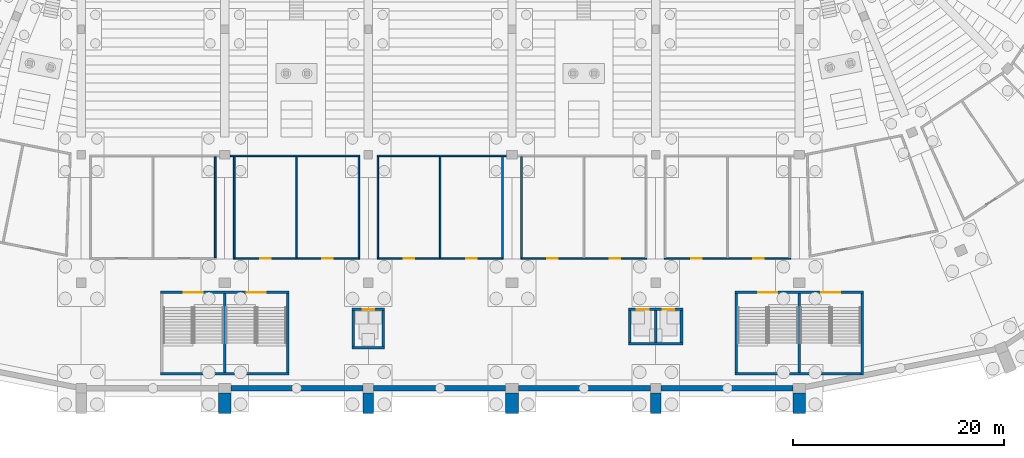
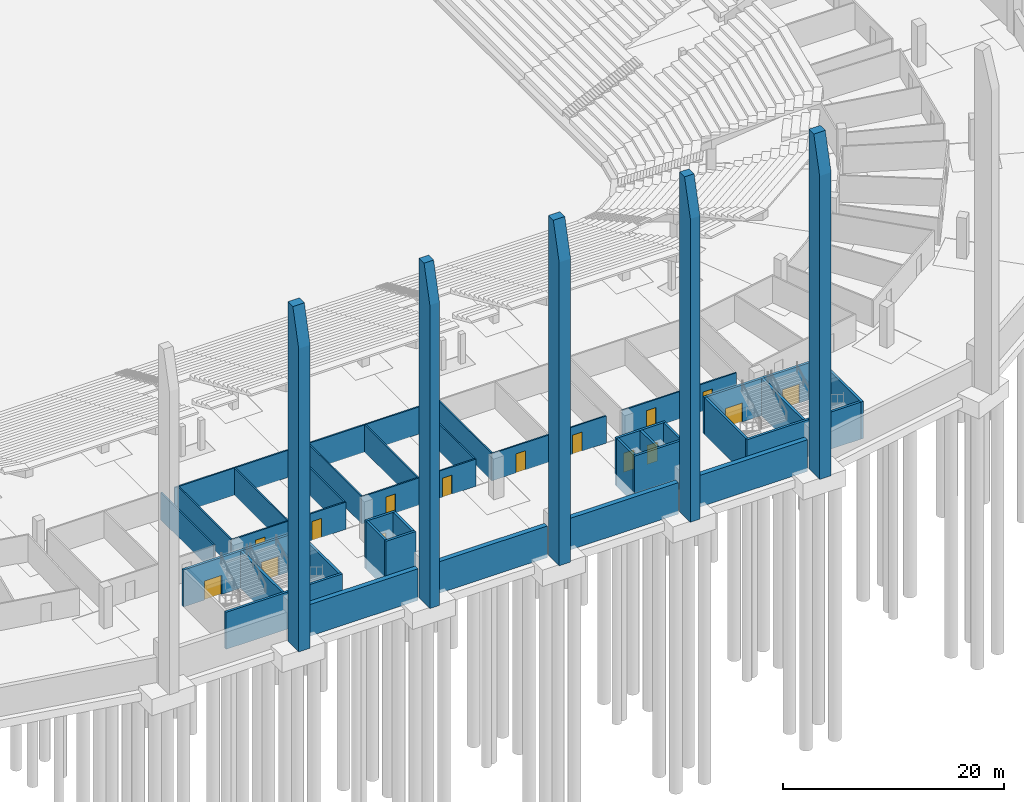
# One storey, part 23 of 115: 41 walls, 15 doors, 15 openings.
"""IFC4 building model written with IfcOpenShell, lengths in metres."""

from ifc_helpers import new_model, si_unit, direction, frame, frame_2d, origin, place, context, subcontext, project, spatial, polyline, rectangle, outline, extrude, material, layer, layer_set, type_object, element, fill, save


model = new_model("IFC4")

# Units and contexts
model_context = context("Model", 3, precision=1e-05, world=origin(), true_north=direction((0.0, 1.0)))
body_context = subcontext(model_context, "Body", "Model", "MODEL_VIEW")
ifc_project = project(units=[si_unit("LENGTHUNIT", "METRE"), si_unit("AREAUNIT", "SQUARE_METRE"), si_unit("VOLUMEUNIT", "CUBIC_METRE"), si_unit("PLANEANGLEUNIT", "RADIAN"), si_unit("MASSUNIT", "GRAM", prefix="KILO")], contexts=[model_context])

# Site, building, storey
site_placement = place(None, origin())
site = spatial("IfcSite", under=ifc_project, at=site_placement, CompositionType="ELEMENT")
building_placement = place(site_placement, origin())
building = spatial("IfcBuilding", under=site, at=building_placement, Name="Ogive Plaza Stadium", CompositionType="ELEMENT")
storey_placement = place(building_placement, frame((0.0, 0.0, -4.5)))
storey = spatial("IfcBuildingStorey", under=building, at=storey_placement, Name="B1", CompositionType="ELEMENT", Elevation=-4.5)

# Wall, openings, doors
ifc_material_1 = material(Name="Masonry blockwork", Category="masonry")
ifc_layer_1 = layer(ifc_material_1, 0.14990234375)
ifc_layer_set_1 = layer_set([ifc_layer_1], Name="Blockwork wall 150")
wall_type_1 = type_object("IfcWallType", Name="Blockwork wall 150", PredefinedType="SOLIDWALL", material=ifc_layer_set_1)
wall_1_placement = place(storey_placement, frame((33.175048828125, -90.199951171875, 0.0), z_axis=(0.0, 0.0, 1.0), x_axis=(-1.0, 0.0, 0.0)))
wall_1 = element("IfcWall", 1, at=wall_1_placement, inside=storey, type_object=wall_type_1, Name="Wall B1 B12", PredefinedType="SOLIDWALL", context=body_context, shape_type="SweptSolid", body=[
    extrude(rectangle(XDim=11.949951171875, YDim=0.14990234375, at=frame_2d((5.97509765625, 0.0))), origin(), (0.0, 0.0, 1.0), 3.0),
])
opening_1_placement = place(wall_1_placement, frame((2.52490234375, 0.0, 0.0)))
opening_1 = element("IfcOpeningElement", 2, at=opening_1_placement, cuts=wall_1, Name="Opening D0319", PredefinedType="OPENING", context=body_context, shape_type="SweptSolid", body=[
    extrude(rectangle(XDim=1.0, YDim=2.10009765625, at=frame_2d((0.5, 1.050048828125))), frame((0.0, 0.074951171875, 0.0), z_axis=(0.0, -1.0, 0.0), x_axis=(1.0, 0.0, 0.0)), (0.0, 0.0, 1.0), 0.14990234375),
])
opening_2_placement = place(wall_1_placement, frame((8.425048828125, 0.0, 0.0)))
opening_2 = element("IfcOpeningElement", 3, at=opening_2_placement, cuts=wall_1, Name="Opening D0320", PredefinedType="OPENING", context=body_context, shape_type="SweptSolid", body=[
    extrude(rectangle(XDim=1.0, YDim=2.10009765625, at=frame_2d((0.5, 1.050048828125))), frame((0.0, 0.074951171875, 0.0), z_axis=(0.0, -1.0, 0.0), x_axis=(1.0, 0.0, 0.0)), (0.0, 0.0, 1.0), 0.14990234375),
])
ifc_material_2 = material(Name="Steel ASTM A572 Grade 50", Category="steel")
door_type_1 = type_object("IfcDoorType", Name="Fire door FD90 1000 x 2100", OperationType="SINGLE_SWING_LEFT", PredefinedType="DOOR", material=ifc_material_2)
door_1_placement = place(opening_1_placement, origin())
door_1 = element("IfcDoor", 4, at=door_1_placement, inside=storey, type_object=door_type_1, Name="Chiller Plant B12 door", OperationType="SINGLE_SWING_RIGHT", OverallHeight=2.10009765625, OverallWidth=1.0, PredefinedType="DOOR", context=body_context, shape_type="SweptSolid", body=[
    extrude(rectangle(XDim=1.0, YDim=2.10009765625, at=frame_2d((0.5, 1.050048828125))), frame((0.0, 0.02490234375, 0.0), z_axis=(0.0, -1.0, 0.0), x_axis=(1.0, 0.0, 0.0)), (0.0, 0.0, 1.0), 0.050048828125),
])
fill(opening_1, door_1)
door_2_placement = place(opening_2_placement, origin())
door_2 = element("IfcDoor", 5, at=door_2_placement, inside=storey, type_object=door_type_1, Name="Generator Hall B12 door", OperationType="SINGLE_SWING_LEFT", OverallHeight=2.10009765625, OverallWidth=1.0, PredefinedType="DOOR", context=body_context, shape_type="SweptSolid", body=[
    extrude(rectangle(XDim=1.0, YDim=2.10009765625, at=frame_2d((0.5, 1.050048828125))), frame((0.0, 0.02490234375, 0.0), z_axis=(0.0, -1.0, 0.0), x_axis=(1.0, 0.0, 0.0)), (0.0, 0.0, 1.0), 0.050048828125),
])
fill(opening_2, door_2)

wall_2_placement = place(storey_placement, frame((7.625, -90.199951171875, 0.0), z_axis=(0.0, 0.0, 1.0), x_axis=(1.0, 0.0, 0.0)))
wall_2 = element("IfcWall", 6, at=wall_2_placement, inside=storey, type_object=wall_type_1, Name="Wall B1 B13", PredefinedType="SOLIDWALL", context=body_context, shape_type="SweptSolid", body=[
    extrude(rectangle(XDim=11.949951171875, YDim=0.14990234375, at=frame_2d((5.97509765625, 0.0))), origin(), (0.0, 0.0, 1.0), 3.0),
])
opening_3_placement = place(wall_2_placement, frame((2.52490234375, 0.0, 0.0)))
opening_3 = element("IfcOpeningElement", 7, at=opening_3_placement, cuts=wall_2, Name="Opening D0321", PredefinedType="OPENING", context=body_context, shape_type="SweptSolid", body=[
    extrude(rectangle(XDim=1.0, YDim=2.10009765625, at=frame_2d((0.5, 1.050048828125))), frame((0.0, 0.074951171875, 0.0), z_axis=(0.0, -1.0, 0.0), x_axis=(1.0, 0.0, 0.0)), (0.0, 0.0, 1.0), 0.14990234375),
])
opening_4_placement = place(wall_2_placement, frame((8.425048828125, 0.0, 0.0)))
opening_4 = element("IfcOpeningElement", 8, at=opening_4_placement, cuts=wall_2, Name="Opening D0322", PredefinedType="OPENING", context=body_context, shape_type="SweptSolid", body=[
    extrude(rectangle(XDim=1.0, YDim=2.10009765625, at=frame_2d((0.5, 1.050048828125))), frame((0.0, 0.074951171875, 0.0), z_axis=(0.0, -1.0, 0.0), x_axis=(1.0, 0.0, 0.0)), (0.0, 0.0, 1.0), 0.14990234375),
])
door_3_placement = place(opening_3_placement, origin())
door_3 = element("IfcDoor", 9, at=door_3_placement, inside=storey, type_object=door_type_1, Name="Generator Hall B13 door", OperationType="SINGLE_SWING_LEFT", OverallHeight=2.10009765625, OverallWidth=1.0, PredefinedType="DOOR", context=body_context, shape_type="SweptSolid", body=[
    extrude(rectangle(XDim=1.0, YDim=2.10009765625, at=frame_2d((0.5, 1.050048828125))), frame((0.0, 0.02490234375, 0.0), z_axis=(0.0, -1.0, 0.0), x_axis=(1.0, 0.0, 0.0)), (0.0, 0.0, 1.0), 0.050048828125),
])
fill(opening_3, door_3)
door_4_placement = place(opening_4_placement, origin())
door_4 = element("IfcDoor", 10, at=door_4_placement, inside=storey, type_object=door_type_1, Name="Main Switchgear Room B13 door", OperationType="SINGLE_SWING_RIGHT", OverallHeight=2.10009765625, OverallWidth=1.0, PredefinedType="DOOR", context=body_context, shape_type="SweptSolid", body=[
    extrude(rectangle(XDim=1.0, YDim=2.10009765625, at=frame_2d((0.5, 1.050048828125))), frame((0.0, 0.02490234375, 0.0), z_axis=(0.0, -1.0, 0.0), x_axis=(1.0, 0.0, 0.0)), (0.0, 0.0, 1.0), 0.050048828125),
])
fill(opening_4, door_4)

# Walls
wall_3_placement = place(storey_placement, frame((7.699951171875, -80.574951171875, 0.0), z_axis=(0.0, 0.0, 1.0), x_axis=(0.0, -1.0, 0.0)))
element("IfcWall", 11, at=wall_3_placement, inside=storey, type_object=wall_type_1, Name="Wall B1 B13", PredefinedType="SOLIDWALL", context=body_context, shape_type="SweptSolid", body=[
    extrude(rectangle(XDim=9.550048828125, YDim=0.14990234375, at=frame_2d((4.77490234375, 0.0))), origin(), (0.0, 0.0, 1.0), 3.0),
])
wall_4_placement = place(storey_placement, frame((6.300048828125, -80.5, 0.0), z_axis=(0.0, 0.0, 1.0), x_axis=(-1.0, 0.0, 0.0)))
element("IfcWall", 12, at=wall_4_placement, inside=storey, type_object=wall_type_1, Name="Wall B1 B14", PredefinedType="SOLIDWALL", context=body_context, shape_type="SweptSolid", body=[
    extrude(rectangle(XDim=12.275146484375, YDim=0.14990234375, at=frame_2d((6.1376953125, 0.0))), origin(), (0.0, 0.0, 1.0), 3.0),
])

# Wall, openings, doors
wall_5_placement = place(storey_placement, frame((5.97509765625, -90.199951171875, 0.0), z_axis=(0.0, 0.0, 1.0), x_axis=(-1.0, 0.0, 0.0)))
wall_5 = element("IfcWall", 13, at=wall_5_placement, inside=storey, type_object=wall_type_1, Name="Wall B1 B14", PredefinedType="SOLIDWALL", context=body_context, shape_type="SweptSolid", body=[
    extrude(rectangle(XDim=11.9501953125, YDim=0.14990234375, at=frame_2d((5.97509765625, 0.0))), origin(), (0.0, 0.0, 1.0), 3.0),
])
opening_5_placement = place(wall_5_placement, frame((2.52490234375, 0.0, 0.0)))
opening_5 = element("IfcOpeningElement", 14, at=opening_5_placement, cuts=wall_5, Name="Opening D0323", PredefinedType="OPENING", context=body_context, shape_type="SweptSolid", body=[
    extrude(rectangle(XDim=1.0, YDim=2.10009765625, at=frame_2d((0.5, 1.050048828125))), frame((0.0, 0.074951171875, 0.0), z_axis=(0.0, -1.0, 0.0), x_axis=(1.0, 0.0, 0.0)), (0.0, 0.0, 1.0), 0.14990234375),
])
opening_6_placement = place(wall_5_placement, frame((8.425048828125, 0.0, 0.0)))
opening_6 = element("IfcOpeningElement", 15, at=opening_6_placement, cuts=wall_5, Name="Opening D0324", PredefinedType="OPENING", context=body_context, shape_type="SweptSolid", body=[
    extrude(rectangle(XDim=1.0, YDim=2.10009765625, at=frame_2d((0.5, 1.050048828125))), frame((0.0, 0.074951171875, 0.0), z_axis=(0.0, -1.0, 0.0), x_axis=(1.0, 0.0, 0.0)), (0.0, 0.0, 1.0), 0.14990234375),
])
door_5_placement = place(opening_5_placement, origin())
door_5 = element("IfcDoor", 16, at=door_5_placement, inside=storey, type_object=door_type_1, Name="Main Switchgear Room B14 door", OperationType="SINGLE_SWING_RIGHT", OverallHeight=2.10009765625, OverallWidth=1.0, PredefinedType="DOOR", context=body_context, shape_type="SweptSolid", body=[
    extrude(rectangle(XDim=1.0, YDim=2.10009765625, at=frame_2d((0.5, 1.050048828125))), frame((0.0, 0.02490234375, 0.0), z_axis=(0.0, -1.0, 0.0), x_axis=(1.0, 0.0, 0.0)), (0.0, 0.0, 1.0), 0.050048828125),
])
fill(opening_5, door_5)
door_6_placement = place(opening_6_placement, origin())
door_6 = element("IfcDoor", 17, at=door_6_placement, inside=storey, type_object=door_type_1, Name="Fire Pump and Tank Room B14 door", OperationType="SINGLE_SWING_LEFT", OverallHeight=2.10009765625, OverallWidth=1.0, PredefinedType="DOOR", context=body_context, shape_type="SweptSolid", body=[
    extrude(rectangle(XDim=1.0, YDim=2.10009765625, at=frame_2d((0.5, 1.050048828125))), frame((0.0, 0.02490234375, 0.0), z_axis=(0.0, -1.0, 0.0), x_axis=(1.0, 0.0, 0.0)), (0.0, 0.0, 1.0), 0.050048828125),
])
fill(opening_6, door_6)

# Walls
for number, where, z_axis, x_axis, name in (
    (18, (5.89990234375, -80.574951171875, 0.0), (0.0, 0.0, 1.0), (0.0, -1.0, 0.0), "Wall B1 B14"),
    (19, (0.0, -80.574951171875, 0.0), (0.0, 0.0, 1.0), (0.0, -1.0, 0.0), "Wall B1 B14"),
    (20, (-5.89990234375, -80.574951171875, 0.0), (0.0, 0.0, 1.0), (0.0, -1.0, 0.0), "Wall B1 B14"),
):
    element("IfcWall", number, at=place(storey_placement, frame(where, z_axis=z_axis, x_axis=x_axis)), inside=storey, type_object=wall_type_1, Name=name, PredefinedType="SOLIDWALL", context=body_context, shape_type="SweptSolid", body=[
        extrude(rectangle(XDim=9.550048828125, YDim=0.14990234375, at=frame_2d((4.77490234375, 0.0))), origin(), (0.0, 0.0, 1.0), 3.0),
    ])
wall_6_placement = place(storey_placement, frame((-19.89990234375, -80.5, 0.0), z_axis=(0.0, 0.0, 1.0), x_axis=(1.0, 0.0, 0.0)))
element("IfcWall", 21, at=wall_6_placement, inside=storey, type_object=wall_type_1, Name="Wall B1 B15", PredefinedType="SOLIDWALL", context=body_context, shape_type="SweptSolid", body=[
    extrude(rectangle(XDim=12.27490234375, YDim=0.14990234375, at=frame_2d((6.137451171875, 0.0))), origin(), (0.0, 0.0, 1.0), 3.0),
])

# Wall, openings, doors
wall_7_placement = place(storey_placement, frame((-19.574951171875, -90.199951171875, 0.0), z_axis=(0.0, 0.0, 1.0), x_axis=(1.0, 0.0, 0.0)))
wall_7 = element("IfcWall", 22, at=wall_7_placement, inside=storey, type_object=wall_type_1, Name="Wall B1 B15", PredefinedType="SOLIDWALL", context=body_context, shape_type="SweptSolid", body=[
    extrude(rectangle(XDim=11.949951171875, YDim=0.14990234375, at=frame_2d((5.97509765625, 0.0))), origin(), (0.0, 0.0, 1.0), 3.0),
])
opening_7_placement = place(wall_7_placement, frame((2.52490234375, 0.0, 0.0)))
opening_7 = element("IfcOpeningElement", 23, at=opening_7_placement, cuts=wall_7, Name="Opening D0325", PredefinedType="OPENING", context=body_context, shape_type="SweptSolid", body=[
    extrude(rectangle(XDim=1.0, YDim=2.10009765625, at=frame_2d((0.5, 1.050048828125))), frame((0.0, 0.074951171875, 0.0), z_axis=(0.0, -1.0, 0.0), x_axis=(1.0, 0.0, 0.0)), (0.0, 0.0, 1.0), 0.14990234375),
])
opening_8_placement = place(wall_7_placement, frame((8.425048828125, 0.0, 0.0)))
opening_8 = element("IfcOpeningElement", 24, at=opening_8_placement, cuts=wall_7, Name="Opening D0326", PredefinedType="OPENING", context=body_context, shape_type="SweptSolid", body=[
    extrude(rectangle(XDim=1.0, YDim=2.10009765625, at=frame_2d((0.5, 1.050048828125))), frame((0.0, 0.074951171875, 0.0), z_axis=(0.0, -1.0, 0.0), x_axis=(1.0, 0.0, 0.0)), (0.0, 0.0, 1.0), 0.14990234375),
])
door_7_placement = place(opening_7_placement, origin())
door_7 = element("IfcDoor", 25, at=door_7_placement, inside=storey, type_object=door_type_1, Name="Fire Pump and Tank Room B15 door", OperationType="SINGLE_SWING_LEFT", OverallHeight=2.10009765625, OverallWidth=1.0, PredefinedType="DOOR", context=body_context, shape_type="SweptSolid", body=[
    extrude(rectangle(XDim=1.0, YDim=2.10009765625, at=frame_2d((0.5, 1.050048828125))), frame((0.0, 0.02490234375, 0.0), z_axis=(0.0, -1.0, 0.0), x_axis=(1.0, 0.0, 0.0)), (0.0, 0.0, 1.0), 0.050048828125),
])
fill(opening_7, door_7)
door_8_placement = place(opening_8_placement, origin())
door_8 = element("IfcDoor", 26, at=door_8_placement, inside=storey, type_object=door_type_1, Name="Air Handling Plant Room B15 door", OperationType="SINGLE_SWING_RIGHT", OverallHeight=2.10009765625, OverallWidth=1.0, PredefinedType="DOOR", context=body_context, shape_type="SweptSolid", body=[
    extrude(rectangle(XDim=1.0, YDim=2.10009765625, at=frame_2d((0.5, 1.050048828125))), frame((0.0, 0.02490234375, 0.0), z_axis=(0.0, -1.0, 0.0), x_axis=(1.0, 0.0, 0.0)), (0.0, 0.0, 1.0), 0.050048828125),
])
fill(opening_8, door_8)

# Walls
for number, where, z_axis, x_axis, name in (
    (27, (-19.5, -80.574951171875, 0.0), (0.0, 0.0, 1.0), (0.0, -1.0, 0.0), "Wall B1 B15"),
    (28, (-13.60009765625, -80.574951171875, 0.0), (0.0, 0.0, 1.0), (0.0, -1.0, 0.0), "Wall B1 B15"),
    (29, (-7.699951171875, -80.574951171875, 0.0), (0.0, 0.0, 1.0), (0.0, -1.0, 0.0), "Wall B1 B15"),
    (30, (-21.300048828125, -80.574951171875, 0.0), (0.0, 0.0, 1.0), (0.0, -1.0, 0.0), "Wall B1 B16"),
):
    element("IfcWall", number, at=place(storey_placement, frame(where, z_axis=z_axis, x_axis=x_axis)), inside=storey, type_object=wall_type_1, Name=name, PredefinedType="SOLIDWALL", context=body_context, shape_type="SweptSolid", body=[
        extrude(rectangle(XDim=9.550048828125, YDim=0.14990234375, at=frame_2d((4.77490234375, 0.0))), origin(), (0.0, 0.0, 1.0), 3.0),
    ])
ifc_material_3 = material(Name="Concrete C45/55 precast", Category="concrete")
ifc_layer_2 = layer(ifc_material_3, 0.949951171875)
ifc_material_4 = material(Name="Cast stone (reconstituted limestone)", Category="masonry")
ifc_layer_3 = layer(ifc_material_4, 0.050048828125)
ifc_layer_set_2 = layer_set([ifc_layer_2, ifc_layer_3], Name="Concrete C45/55 precast, cast stone facing")
wall_type_2 = type_object("IfcWallType", Name="Buttress pier 1000", PredefinedType="SOLIDWALL", material=ifc_layer_set_2)
for number, where, z_axis, x_axis, name in (
    (31, (20.39990234375, -102.949951171875, 0.0), (0.0, 0.0, 1.0), (0.0, -1.0, 0.0), "BUTTRESS PIER R13"),
    (32, (-6.800048828125, -102.949951171875, 0.0), (0.0, 0.0, 1.0), (0.0, -1.0, 0.0), "BUTTRESS PIER R15"),
):
    element("IfcWall", number, at=place(storey_placement, frame(where, z_axis=z_axis, x_axis=x_axis)), inside=storey, type_object=wall_type_2, Name=name, PredefinedType="SOLIDWALL", context=body_context, shape_type="SweptSolid", body=[
        extrude(outline(polyline([(0.0, 0.0), (1.949951171875, 0.0), (1.949951171875, 33.5), (0.89990234375, 37.5), (0.0, 37.5), (0.0, 0.0)])), frame((0.0, 0.5, 0.0), z_axis=(0.0, -1.0, 0.0), x_axis=(1.0, 0.0, 0.0)), (0.0, 0.0, 1.0), 1.0),
    ])
ifc_material_5 = material(Name="Concrete C45/55 precast", Category="concrete")
ifc_layer_4 = layer(ifc_material_5, 1.14990234375)
ifc_material_6 = material(Name="Cast stone (reconstituted limestone)", Category="masonry")
ifc_layer_5 = layer(ifc_material_6, 0.050048828125)
ifc_layer_set_3 = layer_set([ifc_layer_4, ifc_layer_5], Name="Concrete C45/55 precast, cast stone facing")
wall_type_3 = type_object("IfcWallType", Name="Buttress pier 1200", PredefinedType="SOLIDWALL", material=ifc_layer_set_3)
for number, where, z_axis, x_axis, name in (
    (33, (34.0, -102.949951171875, 0.0), (0.0, 0.0, 1.0), (0.0, -1.0, 0.0), "BUTTRESS PIER R12"),
    (34, (6.800048828125, -102.949951171875, 0.0), (0.0, 0.0, 1.0), (0.0, -1.0, 0.0), "BUTTRESS PIER R14"),
    (35, (-20.39990234375, -102.949951171875, 0.0), (0.0, 0.0, 1.0), (0.0, -1.0, 0.0), "BUTTRESS PIER R16"),
):
    element("IfcWall", number, at=place(storey_placement, frame(where, z_axis=z_axis, x_axis=x_axis)), inside=storey, type_object=wall_type_3, Name=name, PredefinedType="SOLIDWALL", context=body_context, shape_type="SweptSolid", body=[
        extrude(outline(polyline([(0.0, 0.0), (1.949951171875, 0.0), (1.949951171875, 33.5), (0.89990234375, 37.5), (0.0, 37.5), (0.0, 0.0)])), frame((0.0, 0.60009765625, 0.0), z_axis=(0.0, -1.0, 0.0), x_axis=(1.0, 0.0, 0.0)), (0.0, 0.0, 1.0), 1.199951171875),
    ])

# Wall, openings, doors
ifc_material_7 = material(Name="Concrete C40/50", Category="concrete")
ifc_layer_6 = layer(ifc_material_7, 0.25)
ifc_layer_set_4 = layer_set([ifc_layer_6], Name="Concrete C40/50")
wall_type_4 = type_object("IfcWallType", Name="Core wall 250", PredefinedType="SHEAR", material=ifc_layer_set_4)
wall_8_placement = place(storey_placement, frame((27.925048828125, -93.425048828125, 0.0), z_axis=(0.0, 0.0, 1.0), x_axis=(1.0, 0.0, 0.0)))
wall_8 = element("IfcWall", 36, at=wall_8_placement, inside=storey, type_object=wall_type_4, Name="Stair core R12 inner wall", PredefinedType="SHEAR", context=body_context, shape_type="SweptSolid", body=[
    extrude(rectangle(XDim=12.14990234375, YDim=0.25, at=frame_2d((6.074951171875, 0.0))), origin(), (0.0, 0.0, 1.0), 4.090087890625),
])
opening_9_placement = place(wall_8_placement, frame((2.199951171875, 0.0, 0.0)))
opening_9 = element("IfcOpeningElement", 37, at=opening_9_placement, cuts=wall_8, Name="Opening D0105", PredefinedType="OPENING", context=body_context, shape_type="SweptSolid", body=[
    extrude(rectangle(XDim=1.800048828125, YDim=2.10009765625, at=frame_2d((0.89990234375, 1.050048828125))), frame((0.0, 0.125, 0.0), z_axis=(0.0, -1.0, 0.0), x_axis=(1.0, 0.0, 0.0)), (0.0, 0.0, 1.0), 0.25),
])
opening_10_placement = place(wall_8_placement, frame((8.14990234375, 0.0, 0.0)))
opening_10 = element("IfcOpeningElement", 38, at=opening_10_placement, cuts=wall_8, Name="Opening D0106", PredefinedType="OPENING", context=body_context, shape_type="SweptSolid", body=[
    extrude(rectangle(XDim=1.800048828125, YDim=2.10009765625, at=frame_2d((0.89990234375, 1.050048828125))), frame((0.0, 0.125, 0.0), z_axis=(0.0, -1.0, 0.0), x_axis=(1.0, 0.0, 0.0)), (0.0, 0.0, 1.0), 0.25),
])
ifc_material_8 = material(Name="Steel ASTM A572 Grade 50", Category="steel")
door_type_2 = type_object("IfcDoorType", Name="Fire door FD90 pair 1800 x 2100", OperationType="DOUBLE_DOOR_SINGLE_SWING", PredefinedType="DOOR", material=ifc_material_8)
door_9_placement = place(opening_9_placement, origin())
door_9 = element("IfcDoor", 39, at=door_9_placement, inside=storey, type_object=door_type_2, Name="Exit stair R12A door B1", OperationType="DOUBLE_DOOR_SINGLE_SWING", OverallHeight=2.10009765625, OverallWidth=1.800048828125, PredefinedType="DOOR", context=body_context, shape_type="SweptSolid", body=[
    extrude(rectangle(XDim=1.800048828125, YDim=2.10009765625, at=frame_2d((0.89990234375, 1.050048828125))), frame((0.0, 0.02490234375, 0.0), z_axis=(0.0, -1.0, 0.0), x_axis=(1.0, 0.0, 0.0)), (0.0, 0.0, 1.0), 0.050048828125),
])
fill(opening_9, door_9)
door_10_placement = place(opening_10_placement, origin())
door_10 = element("IfcDoor", 40, at=door_10_placement, inside=storey, type_object=door_type_2, Name="Exit stair R12B door B1", OperationType="DOUBLE_DOOR_SINGLE_SWING", OverallHeight=2.10009765625, OverallWidth=1.800048828125, PredefinedType="DOOR", context=body_context, shape_type="SweptSolid", body=[
    extrude(rectangle(XDim=1.800048828125, YDim=2.10009765625, at=frame_2d((0.89990234375, 1.050048828125))), frame((0.0, 0.02490234375, 0.0), z_axis=(0.0, -1.0, 0.0), x_axis=(1.0, 0.0, 0.0)), (0.0, 0.0, 1.0), 0.050048828125),
])
fill(opening_10, door_10)

# Walls
wall_9_placement = place(storey_placement, frame((27.925048828125, -101.135009765625, 0.0), z_axis=(0.0, 0.0, 1.0), x_axis=(1.0, 0.0, 0.0)))
element("IfcWall", 41, at=wall_9_placement, inside=storey, type_object=wall_type_4, Name="Stair core R12 outer wall", PredefinedType="SHEAR", context=body_context, shape_type="SweptSolid", body=[
    extrude(rectangle(XDim=12.14990234375, YDim=0.25, at=frame_2d((6.074951171875, 0.0))), origin(), (0.0, 0.0, 1.0), 4.090087890625),
])
wall_10_placement = place(storey_placement, frame((28.050048828125, -93.550048828125, 0.0), z_axis=(0.0, 0.0, 1.0), x_axis=(0.0, -1.0, 0.0)))
element("IfcWall", 42, at=wall_10_placement, inside=storey, type_object=wall_type_4, Name="Stair core R12 side wall", PredefinedType="SHEAR", context=body_context, shape_type="SweptSolid", body=[
    extrude(rectangle(XDim=7.4599609375, YDim=0.25, at=frame_2d((3.72998046875, 0.0))), origin(), (0.0, 0.0, 1.0), 4.090087890625),
])
wall_11_placement = place(storey_placement, frame((39.949951171875, -93.550048828125, 0.0), z_axis=(0.0, 0.0, 1.0), x_axis=(0.0, -1.0, 0.0)))
element("IfcWall", 43, at=wall_11_placement, inside=storey, type_object=wall_type_4, Name="Stair core R12 side wall", PredefinedType="SHEAR", context=body_context, shape_type="SweptSolid", body=[
    extrude(rectangle(XDim=7.7099609375, YDim=0.25, at=frame_2d((3.85498046875, 0.0))), origin(), (0.0, 0.0, 1.0), 4.090087890625),
])
wall_12_placement = place(storey_placement, frame((34.0, -93.550048828125, 0.0), z_axis=(0.0, 0.0, 1.0), x_axis=(0.0, -1.0, 0.0)))
element("IfcWall", 44, at=wall_12_placement, inside=storey, type_object=wall_type_4, Name="Stair core R12 centre wall", PredefinedType="SHEAR", context=body_context, shape_type="SweptSolid", body=[
    extrude(rectangle(XDim=7.4599609375, YDim=0.25, at=frame_2d((3.72998046875, 0.0))), origin(), (0.0, 0.0, 1.0), 4.090087890625),
])

# Wall, openings, doors
wall_13_placement = place(storey_placement, frame((-26.47509765625, -93.425048828125, 0.0), z_axis=(0.0, 0.0, 1.0), x_axis=(1.0, 0.0, 0.0)))
wall_13 = element("IfcWall", 45, at=wall_13_placement, inside=storey, type_object=wall_type_4, Name="Stair core R16 inner wall", PredefinedType="SHEAR", context=body_context, shape_type="SweptSolid", body=[
    extrude(rectangle(XDim=12.150146484375, YDim=0.25, at=frame_2d((6.0751953125, 0.0))), origin(), (0.0, 0.0, 1.0), 4.090087890625),
])
opening_11_placement = place(wall_13_placement, frame((2.199951171875, 0.0, 0.0)))
opening_11 = element("IfcOpeningElement", 46, at=opening_11_placement, cuts=wall_13, Name="Opening D0131", PredefinedType="OPENING", context=body_context, shape_type="SweptSolid", body=[
    extrude(rectangle(XDim=1.800048828125, YDim=2.10009765625, at=frame_2d((0.89990234375, 1.050048828125))), frame((0.0, 0.125, 0.0), z_axis=(0.0, -1.0, 0.0), x_axis=(1.0, 0.0, 0.0)), (0.0, 0.0, 1.0), 0.25),
])
opening_12_placement = place(wall_13_placement, frame((8.14990234375, 0.0, 0.0)))
opening_12 = element("IfcOpeningElement", 47, at=opening_12_placement, cuts=wall_13, Name="Opening D0132", PredefinedType="OPENING", context=body_context, shape_type="SweptSolid", body=[
    extrude(rectangle(XDim=1.800048828125, YDim=2.10009765625, at=frame_2d((0.89990234375, 1.050048828125))), frame((0.0, 0.125, 0.0), z_axis=(0.0, -1.0, 0.0), x_axis=(1.0, 0.0, 0.0)), (0.0, 0.0, 1.0), 0.25),
])
door_11_placement = place(opening_11_placement, origin())
door_11 = element("IfcDoor", 48, at=door_11_placement, inside=storey, type_object=door_type_2, Name="Exit stair R16A door B1", OperationType="DOUBLE_DOOR_SINGLE_SWING", OverallHeight=2.10009765625, OverallWidth=1.800048828125, PredefinedType="DOOR", context=body_context, shape_type="SweptSolid", body=[
    extrude(rectangle(XDim=1.800048828125, YDim=2.10009765625, at=frame_2d((0.89990234375, 1.050048828125))), frame((0.0, 0.02490234375, 0.0), z_axis=(0.0, -1.0, 0.0), x_axis=(1.0, 0.0, 0.0)), (0.0, 0.0, 1.0), 0.050048828125),
])
fill(opening_11, door_11)
door_12_placement = place(opening_12_placement, origin())
door_12 = element("IfcDoor", 49, at=door_12_placement, inside=storey, type_object=door_type_2, Name="Exit stair R16B door B1", OperationType="DOUBLE_DOOR_SINGLE_SWING", OverallHeight=2.10009765625, OverallWidth=1.800048828125, PredefinedType="DOOR", context=body_context, shape_type="SweptSolid", body=[
    extrude(rectangle(XDim=1.800048828125, YDim=2.10009765625, at=frame_2d((0.89990234375, 1.050048828125))), frame((0.0, 0.02490234375, 0.0), z_axis=(0.0, -1.0, 0.0), x_axis=(1.0, 0.0, 0.0)), (0.0, 0.0, 1.0), 0.050048828125),
])
fill(opening_12, door_12)

# Walls
wall_14_placement = place(storey_placement, frame((-26.47509765625, -101.135009765625, 0.0), z_axis=(0.0, 0.0, 1.0), x_axis=(1.0, 0.0, 0.0)))
element("IfcWall", 50, at=wall_14_placement, inside=storey, type_object=wall_type_4, Name="Stair core R16 outer wall", PredefinedType="SHEAR", context=body_context, shape_type="SweptSolid", body=[
    extrude(rectangle(XDim=12.150146484375, YDim=0.25, at=frame_2d((6.0751953125, 0.0))), origin(), (0.0, 0.0, 1.0), 4.090087890625),
])
for number, where, z_axis, x_axis, name in (
    (51, (-14.449951171875, -93.550048828125, 0.0), (0.0, 0.0, 1.0), (0.0, -1.0, 0.0), "Stair core R16 side wall"),
    (52, (-20.39990234375, -93.550048828125, 0.0), (0.0, 0.0, 1.0), (0.0, -1.0, 0.0), "Stair core R16 centre wall"),
):
    element("IfcWall", number, at=place(storey_placement, frame(where, z_axis=z_axis, x_axis=x_axis)), inside=storey, type_object=wall_type_4, Name=name, PredefinedType="SHEAR", context=body_context, shape_type="SweptSolid", body=[
        extrude(rectangle(XDim=7.4599609375, YDim=0.25, at=frame_2d((3.72998046875, 0.0))), origin(), (0.0, 0.0, 1.0), 4.090087890625),
    ])

# Wall, openings, doors
ifc_material_9 = material(Name="Concrete C40/50", Category="concrete")
ifc_layer_7 = layer(ifc_material_9, 0.25)
ifc_layer_set_5 = layer_set([ifc_layer_7], Name="Concrete C40/50")
wall_type_5 = type_object("IfcWallType", Name="Core wall 250 A", PredefinedType="SHEAR", material=ifc_layer_set_5)
wall_15_placement = place(storey_placement, frame((17.824951171875, -95.02490234375, -1.199951171875), z_axis=(0.0, 0.0, 1.0), x_axis=(1.0, 0.0, 0.0)))
wall_15 = element("IfcWall", 53, at=wall_15_placement, inside=storey, type_object=wall_type_5, Name="Lift core LP13 landing wall", PredefinedType="SHEAR", context=body_context, shape_type="SweptSolid", body=[
    extrude(rectangle(XDim=5.150146484375, YDim=0.25, at=frame_2d((2.5751953125, 0.0))), origin(), (0.0, 0.0, 1.0), 5.2900390625),
])
opening_13_placement = place(wall_15_placement, frame((0.800048828125, 0.0, 1.199951171875)))
opening_13 = element("IfcOpeningElement", 54, at=opening_13_placement, cuts=wall_15, Name="Opening LD021", PredefinedType="OPENING", context=body_context, shape_type="SweptSolid", body=[
    extrude(rectangle(XDim=1.10009765625, YDim=2.10009765625, at=frame_2d((0.550048828125, 1.050048828125))), frame((0.0, 0.125, 0.0), z_axis=(0.0, -1.0, 0.0), x_axis=(1.0, 0.0, 0.0)), (0.0, 0.0, 1.0), 0.25),
])
opening_14_placement = place(wall_15_placement, frame((3.25, 0.0, 1.199951171875)))
opening_14 = element("IfcOpeningElement", 55, at=opening_14_placement, cuts=wall_15, Name="Opening LD022", PredefinedType="OPENING", context=body_context, shape_type="SweptSolid", body=[
    extrude(rectangle(XDim=1.10009765625, YDim=2.10009765625, at=frame_2d((0.550048828125, 1.050048828125))), frame((0.0, 0.125, 0.0), z_axis=(0.0, -1.0, 0.0), x_axis=(1.0, 0.0, 0.0)), (0.0, 0.0, 1.0), 0.25),
])
ifc_material_10 = material(Name="Steel ASTM A572 Grade 50", Category="steel")
door_type_3 = type_object("IfcDoorType", Name="Landing door 1100 x 2100", OperationType="SLIDING_TO_LEFT", PredefinedType="DOOR", material=ifc_material_10)
door_13_placement = place(opening_13_placement, origin())
door_13 = element("IfcDoor", 56, at=door_13_placement, inside=storey, type_object=door_type_3, Name="Lift landing door LP13 B1", OperationType="SLIDING_TO_LEFT", OverallHeight=2.10009765625, OverallWidth=1.10009765625, PredefinedType="DOOR", context=body_context, shape_type="SweptSolid", body=[
    extrude(rectangle(XDim=1.10009765625, YDim=2.10009765625, at=frame_2d((0.550048828125, 1.050048828125))), frame((0.0, 0.02490234375, 0.0), z_axis=(0.0, -1.0, 0.0), x_axis=(1.0, 0.0, 0.0)), (0.0, 0.0, 1.0), 0.050048828125),
])
fill(opening_13, door_13)
door_14_placement = place(opening_14_placement, origin())
door_14 = element("IfcDoor", 57, at=door_14_placement, inside=storey, type_object=door_type_3, Name="Lift landing door LP13 B1", OperationType="SLIDING_TO_LEFT", OverallHeight=2.10009765625, OverallWidth=1.10009765625, PredefinedType="DOOR", context=body_context, shape_type="SweptSolid", body=[
    extrude(rectangle(XDim=1.10009765625, YDim=2.10009765625, at=frame_2d((0.550048828125, 1.050048828125))), frame((0.0, 0.02490234375, 0.0), z_axis=(0.0, -1.0, 0.0), x_axis=(1.0, 0.0, 0.0)), (0.0, 0.0, 1.0), 0.050048828125),
])
fill(opening_14, door_14)

# Walls
wall_16_placement = place(storey_placement, frame((17.824951171875, -98.27490234375, -1.199951171875), z_axis=(0.0, 0.0, 1.0), x_axis=(1.0, 0.0, 0.0)))
element("IfcWall", 58, at=wall_16_placement, inside=storey, type_object=wall_type_5, Name="Lift core LP13 rear wall", PredefinedType="SHEAR", context=body_context, shape_type="SweptSolid", body=[
    extrude(rectangle(XDim=5.150146484375, YDim=0.25, at=frame_2d((2.5751953125, 0.0))), origin(), (0.0, 0.0, 1.0), 5.2900390625),
])
for number, where, z_axis, x_axis, name in (
    (59, (17.949951171875, -95.14990234375, -1.199951171875), (0.0, 0.0, 1.0), (0.0, -1.0, 0.0), "Lift core LP13 side wall"),
    (60, (22.85009765625, -95.14990234375, -1.199951171875), (0.0, 0.0, 1.0), (0.0, -1.0, 0.0), "Lift core LP13 side wall"),
    (61, (20.39990234375, -95.14990234375, -1.199951171875), (0.0, 0.0, 1.0), (0.0, -1.0, 0.0), "Lift core LP13 centre wall"),
):
    element("IfcWall", number, at=place(storey_placement, frame(where, z_axis=z_axis, x_axis=x_axis)), inside=storey, type_object=wall_type_5, Name=name, PredefinedType="SHEAR", context=body_context, shape_type="SweptSolid", body=[
        extrude(rectangle(XDim=3.0, YDim=0.25, at=frame_2d((1.5, 0.0))), origin(), (0.0, 0.0, 1.0), 5.2900390625),
    ])

# Wall, opening, door
wall_17_placement = place(storey_placement, frame((-8.35009765625, -95.02490234375, -1.199951171875), z_axis=(0.0, 0.0, 1.0), x_axis=(1.0, 0.0, 0.0)))
wall_17 = element("IfcWall", 62, at=wall_17_placement, inside=storey, type_object=wall_type_5, Name="Lift core LS15 landing wall", PredefinedType="SHEAR", context=body_context, shape_type="SweptSolid", body=[
    extrude(rectangle(XDim=3.10009765625, YDim=0.25, at=frame_2d((1.550048828125, 0.0))), origin(), (0.0, 0.0, 1.0), 5.2900390625),
])
opening_15_placement = place(wall_17_placement, frame((1.0, 0.0, 1.199951171875)))
opening_15 = element("IfcOpeningElement", 63, at=opening_15_placement, cuts=wall_17, Name="Opening LD035", PredefinedType="OPENING", context=body_context, shape_type="SweptSolid", body=[
    extrude(rectangle(XDim=1.10009765625, YDim=2.10009765625, at=frame_2d((0.550048828125, 1.050048828125))), frame((0.0, 0.125, 0.0), z_axis=(0.0, -1.0, 0.0), x_axis=(1.0, 0.0, 0.0)), (0.0, 0.0, 1.0), 0.25),
])
door_15_placement = place(opening_15_placement, origin())
door_15 = element("IfcDoor", 64, at=door_15_placement, inside=storey, type_object=door_type_3, Name="Lift landing door LS15 B1", OperationType="SLIDING_TO_LEFT", OverallHeight=2.10009765625, OverallWidth=1.10009765625, PredefinedType="DOOR", context=body_context, shape_type="SweptSolid", body=[
    extrude(rectangle(XDim=1.10009765625, YDim=2.10009765625, at=frame_2d((0.550048828125, 1.050048828125))), frame((0.0, 0.02490234375, 0.0), z_axis=(0.0, -1.0, 0.0), x_axis=(1.0, 0.0, 0.0)), (0.0, 0.0, 1.0), 0.050048828125),
])
fill(opening_15, door_15)

# Walls
wall_18_placement = place(storey_placement, frame((-8.35009765625, -98.675048828125, -1.199951171875), z_axis=(0.0, 0.0, 1.0), x_axis=(1.0, 0.0, 0.0)))
element("IfcWall", 65, at=wall_18_placement, inside=storey, type_object=wall_type_5, Name="Lift core LS15 rear wall", PredefinedType="SHEAR", context=body_context, shape_type="SweptSolid", body=[
    extrude(rectangle(XDim=3.10009765625, YDim=0.25, at=frame_2d((1.550048828125, 0.0))), origin(), (0.0, 0.0, 1.0), 5.2900390625),
])
for number, where, z_axis, x_axis, name in (
    (66, (-8.22509765625, -95.14990234375, -1.199951171875), (0.0, 0.0, 1.0), (0.0, -1.0, 0.0), "Lift core LS15 side wall"),
    (67, (-5.375, -95.14990234375, -1.199951171875), (0.0, 0.0, 1.0), (0.0, -1.0, 0.0), "Lift core LS15 side wall"),
):
    element("IfcWall", number, at=place(storey_placement, frame(where, z_axis=z_axis, x_axis=x_axis)), inside=storey, type_object=wall_type_5, Name=name, PredefinedType="SHEAR", context=body_context, shape_type="SweptSolid", body=[
        extrude(rectangle(XDim=3.400146484375, YDim=0.25, at=frame_2d((1.7001953125, 0.0))), origin(), (0.0, 0.0, 1.0), 5.2900390625),
    ])
ifc_material_11 = material(Name="Concrete C40/50", Category="concrete")
ifc_layer_8 = layer(ifc_material_11, 0.5)
ifc_layer_set_6 = layer_set([ifc_layer_8], Name="Concrete C40/50")
wall_type_6 = type_object("IfcWallType", Name="RC retaining wall 500", PredefinedType="SOLIDWALL", material=ifc_layer_set_6)
for number, where, z_axis, x_axis, name in (
    (68, (33.39990234375, -102.5, -0.39990234375), (0.0, 0.0, 1.0), (-1.0, 0.0, 0.0), "Retaining wall B12"),
    (69, (19.89990234375, -102.5, -0.39990234375), (0.0, 0.0, 1.0), (-1.0, 0.0, 0.0), "Retaining wall B13"),
    (70, (6.199951171875, -102.5, -0.39990234375), (0.0, 0.0, 1.0), (-1.0, 0.0, 0.0), "Retaining wall B14"),
    (71, (-7.300048828125, -102.5, -0.39990234375), (0.0, 0.0, 1.0), (-1.0, 0.0, 0.0), "Retaining wall B15"),
):
    element("IfcWall", number, at=place(storey_placement, frame(where, z_axis=z_axis, x_axis=x_axis)), inside=storey, type_object=wall_type_6, Name=name, PredefinedType="SOLIDWALL", context=body_context, shape_type="SweptSolid", body=[
        extrude(rectangle(XDim=12.5, YDim=0.5, at=frame_2d((6.25, 0.0))), origin(), (0.0, 0.0, 1.0), 3.489990234375),
    ])

save(model, "model.ifc")
